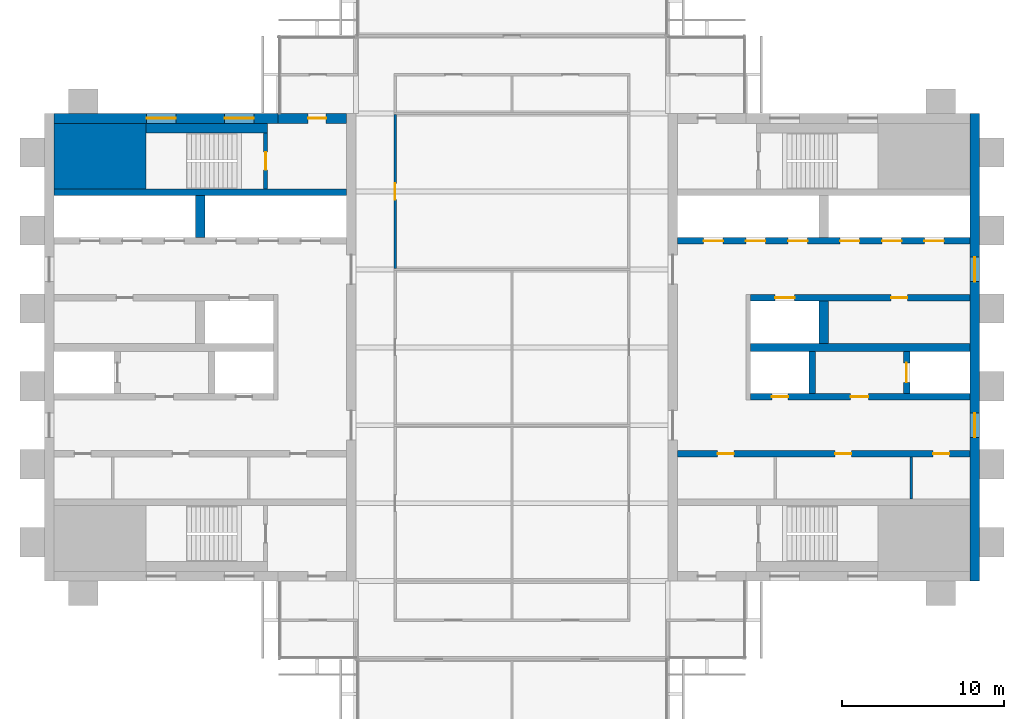
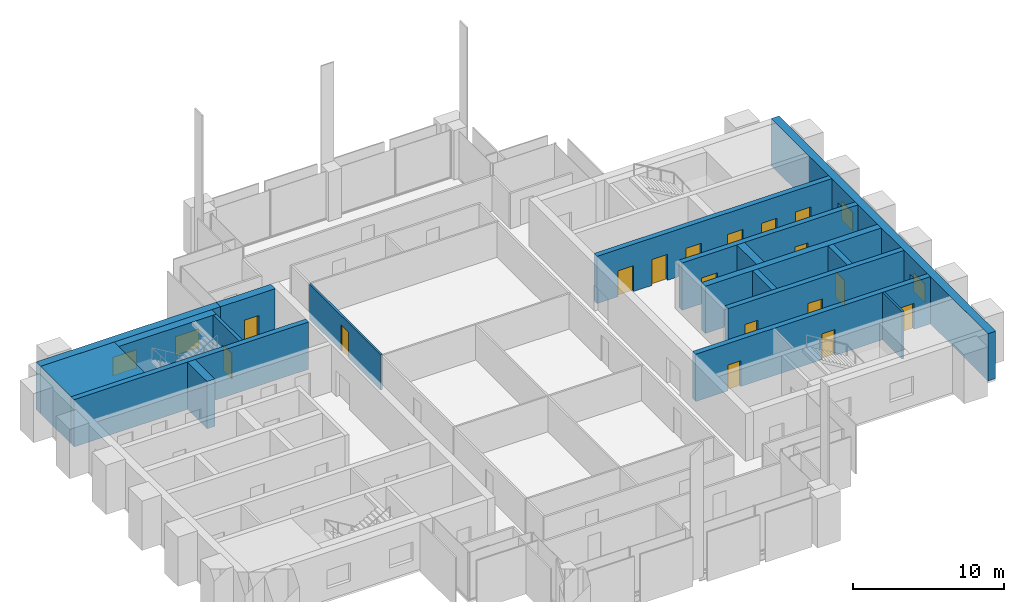
# One storey, part 10 of 13: 18 walls, 17 doors, 4 windows, 21 openings.
"""IFC4 building model written with IfcOpenShell, lengths in metres."""

from ifc_helpers import new_model, si_unit, direction, frame, frame_2d, origin, place, context, subcontext, project, spatial, rectangle, extrude, material, layer, layer_set, type_object, element, fill, save


model = new_model("IFC4")

# Units and contexts
model_context = context("Model", 3, precision=1e-05, world=origin(), true_north=direction((0.0, 1.0)))
body_context = subcontext(model_context, "Body", "Model", "MODEL_VIEW")
ifc_project = project(units=[si_unit("LENGTHUNIT", "METRE"), si_unit("AREAUNIT", "SQUARE_METRE"), si_unit("VOLUMEUNIT", "CUBIC_METRE"), si_unit("PLANEANGLEUNIT", "RADIAN"), si_unit("MASSUNIT", "GRAM", prefix="KILO")], contexts=[model_context])

# Site, building, storey
site_placement = place(None, origin())
site = spatial("IfcSite", under=ifc_project, at=site_placement, CompositionType="ELEMENT")
building_placement = place(site_placement, origin())
building = spatial("IfcBuilding", under=site, at=building_placement, Name="Baori Bourse Tower", CompositionType="ELEMENT")
storey_placement = place(building_placement, frame((0.0, 0.0, 294.300048828125)))
storey = spatial("IfcBuildingStorey", under=building, at=storey_placement, Name="L64", CompositionType="ELEMENT", Elevation=294.300048828125)

# Walls
ifc_material_1 = material(Name="Concrete f'c 40 MPa", Category="concrete")
wall_type_1 = type_object("IfcWallType", Name="Core corner block f'c 40", PredefinedType="SHEAR", material=ifc_material_1)
wall_1_placement = place(storey_placement, frame((0.60009765625, 35.77490234375, 0.0), z_axis=(0.0, 0.0, 1.0), x_axis=(1.0, 0.0, 0.0)))
element("IfcWall", 1, at=wall_1_placement, inside=storey, type_object=wall_type_1, Name="Core wall W22", PredefinedType="SHEAR", context=body_context, shape_type="SweptSolid", body=[
    extrude(rectangle(XDim=5.64990234375, YDim=4.050048828125, at=frame_2d((2.824951171875, 0.0))), origin(), (0.0, 0.0, 1.0), 3.83984375),
])
ifc_material_2 = material(Name="Blockwork partition", Category="masonry")
ifc_layer_1 = layer(ifc_material_2, 0.14990234375)
ifc_layer_set_1 = layer_set([ifc_layer_1], Name="Core partition 150")
wall_type_2 = type_object("IfcWallType", Name="Core partition 150", PredefinedType="PARTITIONING", material=ifc_layer_set_1)
wall_2_placement = place(storey_placement, frame((53.39990234375, 14.64990234375, 0.0), z_axis=(0.0, 0.0, 1.0), x_axis=(0.0, 1.0, 0.0)))
element("IfcWall", 2, at=wall_2_placement, inside=storey, type_object=wall_type_2, Name="Partition wall E09", PredefinedType="PARTITIONING", context=body_context, shape_type="SweptSolid", body=[
    extrude(rectangle(XDim=2.60009765625, YDim=0.14990234375, at=frame_2d((1.300048828125, 0.0))), origin(), (0.0, 0.0, 1.0), 3.83984375),
])

# Wall, openings, windows
ifc_material_3 = material(Name="Concrete f'c 40 MPa", Category="concrete")
ifc_layer_2 = layer(ifc_material_3, 0.60009765625)
ifc_layer_set_2 = layer_set([ifc_layer_2], Name="Core wall 600 f'c 40")
wall_type_3 = type_object("IfcWallType", Name="Core wall 600 f'c 40", PredefinedType="SHEAR", material=ifc_layer_set_2)
wall_3_placement = place(storey_placement, frame((0.60009765625, 38.10009765625, 0.0), z_axis=(0.0, 0.0, 1.0), x_axis=(1.0, 0.0, 0.0)))
wall_3 = element("IfcWall", 3, at=wall_3_placement, inside=storey, type_object=wall_type_3, Name="Core wall W25", PredefinedType="SHEAR", context=body_context, shape_type="SweptSolid", body=[
    extrude(rectangle(XDim=13.7998046875, YDim=0.60009765625, at=frame_2d((6.89990234375, 0.0))), origin(), (0.0, 0.0, 1.0), 3.83984375),
])
opening_1_placement = place(wall_3_placement, frame((5.699951171875, 0.0, 0.89990234375)))
opening_1 = element("IfcOpeningElement", 4, at=opening_1_placement, cuts=wall_3, Name="Opening L64-KW105", PredefinedType="OPENING", context=body_context, shape_type="SweptSolid", body=[
    extrude(rectangle(XDim=1.800048828125, YDim=1.5, at=frame_2d((0.89990234375, 0.75))), frame((0.0, 0.31005859375, 0.0), z_axis=(0.0, -1.0, 0.0), x_axis=(1.0, 0.0, 0.0)), (0.0, 0.0, 1.0), 0.6201171875),
])
opening_2_placement = place(wall_3_placement, frame((10.5, 0.0, 0.89990234375)))
opening_2 = element("IfcOpeningElement", 5, at=opening_2_placement, cuts=wall_3, Name="Opening L64-KW106", PredefinedType="OPENING", context=body_context, shape_type="SweptSolid", body=[
    extrude(rectangle(XDim=1.800048828125, YDim=1.5, at=frame_2d((0.89990234375, 0.75))), frame((0.0, 0.31005859375, 0.0), z_axis=(0.0, -1.0, 0.0), x_axis=(1.0, 0.0, 0.0)), (0.0, 0.0, 1.0), 0.6201171875),
])
ifc_material_4 = material(Name="Pale anodised aluminium", Category="aluminium")
window_type_1 = type_object("IfcWindowType", Name="Stair window 1800 x 1500", PartitioningType="SINGLE_PANEL", PredefinedType="WINDOW", material=ifc_material_4)
window_1_placement = place(opening_1_placement, origin())
window_1 = element("IfcWindow", 6, at=window_1_placement, inside=storey, type_object=window_type_1, Name="Stair window W L64 5", OverallHeight=1.5, OverallWidth=1.800048828125, PartitioningType="SINGLE_PANEL", PredefinedType="WINDOW", context=body_context, shape_type="SweptSolid", body=[
    extrude(rectangle(XDim=1.800048828125, YDim=1.5, at=frame_2d((0.89990234375, 0.75))), frame((0.0, 0.030029296875, 0.0), z_axis=(0.0, -1.0, 0.0), x_axis=(1.0, 0.0, 0.0)), (0.0, 0.0, 1.0), 0.06005859375),
])
fill(opening_1, window_1)
window_2_placement = place(opening_2_placement, origin())
window_2 = element("IfcWindow", 7, at=window_2_placement, inside=storey, type_object=window_type_1, Name="Stair window W L64 6", OverallHeight=1.5, OverallWidth=1.800048828125, PartitioningType="SINGLE_PANEL", PredefinedType="WINDOW", context=body_context, shape_type="SweptSolid", body=[
    extrude(rectangle(XDim=1.800048828125, YDim=1.5, at=frame_2d((0.89990234375, 0.75))), frame((0.0, 0.030029296875, 0.0), z_axis=(0.0, -1.0, 0.0), x_axis=(1.0, 0.0, 0.0)), (0.0, 0.0, 1.0), 0.06005859375),
])
fill(opening_2, window_2)

# Wall, opening, door
wall_4_placement = place(storey_placement, frame((14.39990234375, 38.10009765625, 0.0), z_axis=(0.0, 0.0, 1.0), x_axis=(1.0, 0.0, 0.0)))
wall_4 = element("IfcWall", 8, at=wall_4_placement, inside=storey, type_object=wall_type_3, Name="Core wall W26", PredefinedType="SHEAR", context=body_context, shape_type="SweptSolid", body=[
    extrude(rectangle(XDim=4.2001953125, YDim=0.60009765625, at=frame_2d((2.10009765625, 0.0))), origin(), (0.0, 0.0, 1.0), 3.83984375),
])
opening_3_placement = place(wall_4_placement, frame((1.85009765625, 0.0, 0.0)))
opening_3 = element("IfcOpeningElement", 9, at=opening_3_placement, cuts=wall_4, Name="Opening L64-D104", PredefinedType="OPENING", context=body_context, shape_type="SweptSolid", body=[
    extrude(rectangle(XDim=1.10009765625, YDim=2.10009765625, at=frame_2d((0.550048828125, 1.050048828125))), frame((0.0, 0.31005859375, 0.0), z_axis=(0.0, -1.0, 0.0), x_axis=(1.0, 0.0, 0.0)), (0.0, 0.0, 1.0), 0.6201171875),
])
ifc_material_5 = material(Name="Painted steel door", Category="steel")
door_type_1 = type_object("IfcDoorType", Name="Stair door 1100", OperationType="SINGLE_SWING_LEFT", PredefinedType="DOOR", material=ifc_material_5)
door_1_placement = place(opening_3_placement, origin())
door_1 = element("IfcDoor", 10, at=door_1_placement, inside=storey, type_object=door_type_1, Name="Stair vestibule door B W L64", OperationType="SINGLE_SWING_LEFT", OverallHeight=2.10009765625, OverallWidth=1.10009765625, PredefinedType="DOOR", context=body_context, shape_type="SweptSolid", body=[
    extrude(rectangle(XDim=1.10009765625, YDim=2.10009765625, at=frame_2d((0.550048828125, 1.050048828125))), frame((0.0, 0.02490234375, 0.0), z_axis=(0.0, -1.0, 0.0), x_axis=(1.0, 0.0, 0.0)), (0.0, 0.0, 1.0), 0.050048828125),
])
fill(opening_3, door_1)

# Wall, openings, windows
wall_5_placement = place(storey_placement, frame((57.300048828125, 38.39990234375, 0.0), z_axis=(0.0, 0.0, 1.0), x_axis=(0.0, -1.0, 0.0)))
wall_5 = element("IfcWall", 11, at=wall_5_placement, inside=storey, type_object=wall_type_3, Name="Core wall E01", PredefinedType="SHEAR", context=body_context, shape_type="SweptSolid", body=[
    extrude(rectangle(XDim=28.7998046875, YDim=0.60009765625, at=frame_2d((14.39990234375, 0.0))), origin(), (0.0, 0.0, 1.0), 3.83984375),
])
opening_4_placement = place(wall_5_placement, frame((18.449951171875, 0.0, 0.89990234375)))
opening_4 = element("IfcOpeningElement", 12, at=opening_4_placement, cuts=wall_5, Name="Opening L64-KW201", PredefinedType="OPENING", context=body_context, shape_type="SweptSolid", body=[
    extrude(rectangle(XDim=1.5, YDim=1.5, at=frame_2d((0.75, 0.75))), frame((0.0, 0.31005859375, 0.0), z_axis=(0.0, -1.0, 0.0), x_axis=(1.0, 0.0, 0.0)), (0.0, 0.0, 1.0), 0.6201171875),
])
opening_5_placement = place(wall_5_placement, frame((8.85009765625, 0.0, 0.89990234375)))
opening_5 = element("IfcOpeningElement", 13, at=opening_5_placement, cuts=wall_5, Name="Opening L64-KW202", PredefinedType="OPENING", context=body_context, shape_type="SweptSolid", body=[
    extrude(rectangle(XDim=1.5, YDim=1.5, at=frame_2d((0.75, 0.75))), frame((0.0, 0.31005859375, 0.0), z_axis=(0.0, -1.0, 0.0), x_axis=(1.0, 0.0, 0.0)), (0.0, 0.0, 1.0), 0.6201171875),
])
ifc_material_6 = material(Name="Pale anodised aluminium", Category="aluminium")
window_type_2 = type_object("IfcWindowType", Name="Lobby window 1500 x 1500", PartitioningType="SINGLE_PANEL", PredefinedType="WINDOW", material=ifc_material_6)
window_3_placement = place(opening_4_placement, origin())
window_3 = element("IfcWindow", 14, at=window_3_placement, inside=storey, type_object=window_type_2, Name="Outer wall window E L64 1", OverallHeight=1.5, OverallWidth=1.5, PartitioningType="SINGLE_PANEL", PredefinedType="WINDOW", context=body_context, shape_type="SweptSolid", body=[
    extrude(rectangle(XDim=1.5, YDim=1.5, at=frame_2d((0.75, 0.75))), frame((0.0, 0.030029296875, 0.0), z_axis=(0.0, -1.0, 0.0), x_axis=(1.0, 0.0, 0.0)), (0.0, 0.0, 1.0), 0.06005859375),
])
fill(opening_4, window_3)
window_4_placement = place(opening_5_placement, origin())
window_4 = element("IfcWindow", 15, at=window_4_placement, inside=storey, type_object=window_type_2, Name="Outer wall window E L64 2", OverallHeight=1.5, OverallWidth=1.5, PartitioningType="SINGLE_PANEL", PredefinedType="WINDOW", context=body_context, shape_type="SweptSolid", body=[
    extrude(rectangle(XDim=1.5, YDim=1.5, at=frame_2d((0.75, 0.75))), frame((0.0, 0.030029296875, 0.0), z_axis=(0.0, -1.0, 0.0), x_axis=(1.0, 0.0, 0.0)), (0.0, 0.0, 1.0), 0.06005859375),
])
fill(opening_5, window_4)

# Wall, opening, door
ifc_material_7 = material(Name="Gypsum board partition")
ifc_layer_3 = layer(ifc_material_7, 0.14990234375)
ifc_layer_set_3 = layer_set([ifc_layer_3], Name="Corridor partition 150")
wall_type_4 = type_object("IfcWallType", Name="Corridor partition 150", PredefinedType="PARTITIONING", material=ifc_layer_set_3)
wall_6_placement = place(storey_placement, frame((21.60009765625, 28.862548828125, 0.0), z_axis=(0.0, 0.0, 1.0), x_axis=(0.0, 1.0, 0.0)))
wall_6 = element("IfcWall", 16, at=wall_6_placement, inside=storey, type_object=wall_type_4, Name="Partition", PredefinedType="PARTITIONING", context=body_context, shape_type="SweptSolid", body=[
    extrude(rectangle(XDim=9.474853515625, YDim=0.14990234375, at=frame_2d((4.7373046875, 0.0))), origin(), (0.0, 0.0, 1.0), 2.86962890625),
])
opening_6_placement = place(wall_6_placement, frame((4.237548828125, 0.0, 0.0)))
opening_6 = element("IfcOpeningElement", 17, at=opening_6_placement, cuts=wall_6, Name="Opening L64-D14", PredefinedType="OPENING", context=body_context, shape_type="SweptSolid", body=[
    extrude(rectangle(XDim=1.0, YDim=2.10009765625, at=frame_2d((0.5, 1.050048828125))), frame((0.0, 0.0849609375, 0.0), z_axis=(0.0, -1.0, 0.0), x_axis=(1.0, 0.0, 0.0)), (0.0, 0.0, 1.0), 0.169921875),
])
ifc_material_8 = material(Name="Timber door leaf", Category="wood")
door_type_2 = type_object("IfcDoorType", Name="Door 1000 x 2100", OperationType="SINGLE_SWING_LEFT", PredefinedType="DOOR", material=ifc_material_8)
door_2_placement = place(opening_6_placement, origin())
door_2 = element("IfcDoor", 18, at=door_2_placement, inside=storey, type_object=door_type_2, Name="Door", OperationType="SINGLE_SWING_RIGHT", OverallHeight=2.10009765625, OverallWidth=1.0, PredefinedType="DOOR", context=body_context, shape_type="SweptSolid", body=[
    extrude(rectangle(XDim=1.0, YDim=2.10009765625, at=frame_2d((0.5, 1.050048828125))), frame((0.0, 0.02490234375, 0.0), z_axis=(0.0, -1.0, 0.0), x_axis=(1.0, 0.0, 0.0)), (0.0, 0.0, 1.0), 0.050048828125),
])
fill(opening_6, door_2)

ifc_material_9 = material(Name="Concrete f'c 40 MPa", Category="concrete")
ifc_layer_4 = layer(ifc_material_9, 0.25)
ifc_layer_set_4 = layer_set([ifc_layer_4], Name="Shaft wall 250 f'c 40")
wall_type_5 = type_object("IfcWallType", Name="Shaft wall 250 f'c 40", PredefinedType="SHEAR", material=ifc_layer_set_4)
wall_7_placement = place(storey_placement, frame((13.625, 33.75, 0.0), z_axis=(0.0, 0.0, 1.0), x_axis=(0.0, 1.0, 0.0)))
wall_7 = element("IfcWall", 19, at=wall_7_placement, inside=storey, type_object=wall_type_5, Name="Core wall W23", PredefinedType="SHEAR", context=body_context, shape_type="SweptSolid", body=[
    extrude(rectangle(XDim=3.449951171875, YDim=0.25, at=frame_2d((1.72509765625, 0.0))), origin(), (0.0, 0.0, 1.0), 3.83984375),
])
opening_7_placement = place(wall_7_placement, frame((1.175048828125, 0.0, 0.0)))
opening_7 = element("IfcOpeningElement", 20, at=opening_7_placement, cuts=wall_7, Name="Opening L64-D103", PredefinedType="OPENING", context=body_context, shape_type="SweptSolid", body=[
    extrude(rectangle(XDim=1.10009765625, YDim=2.10009765625, at=frame_2d((0.550048828125, 1.050048828125))), frame((0.0, 0.135009765625, 0.0), z_axis=(0.0, -1.0, 0.0), x_axis=(1.0, 0.0, 0.0)), (0.0, 0.0, 1.0), 0.27001953125),
])
door_3_placement = place(opening_7_placement, origin())
door_3 = element("IfcDoor", 21, at=door_3_placement, inside=storey, type_object=door_type_1, Name="Stair door B W L64", OperationType="SINGLE_SWING_LEFT", OverallHeight=2.10009765625, OverallWidth=1.10009765625, PredefinedType="DOOR", context=body_context, shape_type="SweptSolid", body=[
    extrude(rectangle(XDim=1.10009765625, YDim=2.10009765625, at=frame_2d((0.550048828125, 1.050048828125))), frame((0.0, 0.02490234375, 0.0), z_axis=(0.0, -1.0, 0.0), x_axis=(1.0, 0.0, 0.0)), (0.0, 0.0, 1.0), 0.050048828125),
])
fill(opening_7, door_3)

# Wall
ifc_material_10 = material(Name="Concrete f'c 40 MPa", Category="concrete")
ifc_layer_5 = layer(ifc_material_10, 0.39990234375)
ifc_layer_set_5 = layer_set([ifc_layer_5], Name="Shaft wall 400 f'c 40")
wall_type_6 = type_object("IfcWallType", Name="Shaft wall 400 f'c 40", PredefinedType="SHEAR", material=ifc_layer_set_5)
wall_8_placement = place(storey_placement, frame((0.60009765625, 33.550048828125, 0.0), z_axis=(0.0, 0.0, 1.0), x_axis=(1.0, 0.0, 0.0)))
element("IfcWall", 22, at=wall_8_placement, inside=storey, type_object=wall_type_6, Name="Core wall W21", PredefinedType="SHEAR", context=body_context, shape_type="SweptSolid", body=[
    extrude(rectangle(XDim=18.0, YDim=0.39990234375, at=frame_2d((9.0, 0.0))), origin(), (0.0, 0.0, 1.0), 3.83984375),
])

# Wall, openings, doors
wall_9_placement = place(storey_placement, frame((39.0, 17.449951171875, 0.0), z_axis=(0.0, 0.0, 1.0), x_axis=(1.0, 0.0, 0.0)))
wall_9 = element("IfcWall", 23, at=wall_9_placement, inside=storey, type_object=wall_type_6, Name="Core wall E11", PredefinedType="SHEAR", context=body_context, shape_type="SweptSolid", body=[
    extrude(rectangle(XDim=18.0, YDim=0.39990234375, at=frame_2d((9.0, 0.0))), origin(), (0.0, 0.0, 1.0), 3.83984375),
])
opening_8_placement = place(wall_9_placement, frame((15.737548828125, 0.0, 0.0)))
opening_8 = element("IfcOpeningElement", 24, at=opening_8_placement, cuts=wall_9, Name="Opening L64-D209", PredefinedType="OPENING", context=body_context, shape_type="SweptSolid", body=[
    extrude(rectangle(XDim=1.0, YDim=2.10009765625, at=frame_2d((0.5, 1.050048828125))), frame((0.0, 0.2099609375, 0.0), z_axis=(0.0, -1.0, 0.0), x_axis=(1.0, 0.0, 0.0)), (0.0, 0.0, 1.0), 0.419921875),
])
opening_9_placement = place(wall_9_placement, frame((9.699951171875, 0.0, 0.0)))
opening_9 = element("IfcOpeningElement", 25, at=opening_9_placement, cuts=wall_9, Name="Opening L64-D210", PredefinedType="OPENING", context=body_context, shape_type="SweptSolid", body=[
    extrude(rectangle(XDim=1.0, YDim=2.10009765625, at=frame_2d((0.5, 1.050048828125))), frame((0.0, 0.2099609375, 0.0), z_axis=(0.0, -1.0, 0.0), x_axis=(1.0, 0.0, 0.0)), (0.0, 0.0, 1.0), 0.419921875),
])
opening_10_placement = place(wall_9_placement, frame((2.46240234375, 0.0, 0.0)))
opening_10 = element("IfcOpeningElement", 26, at=opening_10_placement, cuts=wall_9, Name="Opening L64-D211", PredefinedType="OPENING", context=body_context, shape_type="SweptSolid", body=[
    extrude(rectangle(XDim=1.0, YDim=2.10009765625, at=frame_2d((0.5, 1.050048828125))), frame((0.0, 0.2099609375, 0.0), z_axis=(0.0, -1.0, 0.0), x_axis=(1.0, 0.0, 0.0)), (0.0, 0.0, 1.0), 0.419921875),
])
ifc_material_11 = material(Name="Painted steel door", Category="steel")
door_type_3 = type_object("IfcDoorType", Name="Core door 1000", OperationType="SINGLE_SWING_LEFT", PredefinedType="DOOR", material=ifc_material_11)
door_4_placement = place(opening_8_placement, origin())
door_4 = element("IfcDoor", 27, at=door_4_placement, inside=storey, type_object=door_type_3, Name="Accessible Wc door E L64", OperationType="SINGLE_SWING_LEFT", OverallHeight=2.10009765625, OverallWidth=1.0, PredefinedType="DOOR", context=body_context, shape_type="SweptSolid", body=[
    extrude(rectangle(XDim=1.0, YDim=2.10009765625, at=frame_2d((0.5, 1.050048828125))), frame((0.0, 0.02490234375, 0.0), z_axis=(0.0, -1.0, 0.0), x_axis=(1.0, 0.0, 0.0)), (0.0, 0.0, 1.0), 0.050048828125),
])
fill(opening_8, door_4)
door_5_placement = place(opening_9_placement, origin())
door_5 = element("IfcDoor", 28, at=door_5_placement, inside=storey, type_object=door_type_3, Name="Men'S Wc door E L64", OperationType="SINGLE_SWING_LEFT", OverallHeight=2.10009765625, OverallWidth=1.0, PredefinedType="DOOR", context=body_context, shape_type="SweptSolid", body=[
    extrude(rectangle(XDim=1.0, YDim=2.10009765625, at=frame_2d((0.5, 1.050048828125))), frame((0.0, 0.02490234375, 0.0), z_axis=(0.0, -1.0, 0.0), x_axis=(1.0, 0.0, 0.0)), (0.0, 0.0, 1.0), 0.050048828125),
])
fill(opening_9, door_5)
door_6_placement = place(opening_10_placement, origin())
door_6 = element("IfcDoor", 29, at=door_6_placement, inside=storey, type_object=door_type_3, Name="Women'S Wc door E L64", OperationType="SINGLE_SWING_LEFT", OverallHeight=2.10009765625, OverallWidth=1.0, PredefinedType="DOOR", context=body_context, shape_type="SweptSolid", body=[
    extrude(rectangle(XDim=1.0, YDim=2.10009765625, at=frame_2d((0.5, 1.050048828125))), frame((0.0, 0.02490234375, 0.0), z_axis=(0.0, -1.0, 0.0), x_axis=(1.0, 0.0, 0.0)), (0.0, 0.0, 1.0), 0.050048828125),
])
fill(opening_10, door_6)

wall_10_placement = place(storey_placement, frame((43.5, 20.949951171875, 0.0), z_axis=(0.0, 0.0, 1.0), x_axis=(1.0, 0.0, 0.0)))
wall_10 = element("IfcWall", 30, at=wall_10_placement, inside=storey, type_object=wall_type_6, Name="Core wall E12", PredefinedType="SHEAR", context=body_context, shape_type="SweptSolid", body=[
    extrude(rectangle(XDim=13.5, YDim=0.39990234375, at=frame_2d((6.75, 0.0))), origin(), (0.0, 0.0, 1.0), 3.83984375),
])
opening_11_placement = place(wall_10_placement, frame((6.14990234375, 0.0, 0.0)))
opening_11 = element("IfcOpeningElement", 31, at=opening_11_placement, cuts=wall_10, Name="Opening L64-D205", PredefinedType="OPENING", context=body_context, shape_type="SweptSolid", body=[
    extrude(rectangle(XDim=1.10009765625, YDim=2.10009765625, at=frame_2d((0.550048828125, 1.050048828125))), frame((0.0, 0.2099609375, 0.0), z_axis=(0.0, -1.0, 0.0), x_axis=(1.0, 0.0, 0.0)), (0.0, 0.0, 1.0), 0.419921875),
])
opening_12_placement = place(wall_10_placement, frame((1.300048828125, 0.0, 0.0)))
opening_12 = element("IfcOpeningElement", 32, at=opening_12_placement, cuts=wall_10, Name="Opening L64-D206", PredefinedType="OPENING", context=body_context, shape_type="SweptSolid", body=[
    extrude(rectangle(XDim=1.0, YDim=2.10009765625, at=frame_2d((0.5, 1.050048828125))), frame((0.0, 0.2099609375, 0.0), z_axis=(0.0, -1.0, 0.0), x_axis=(1.0, 0.0, 0.0)), (0.0, 0.0, 1.0), 0.419921875),
])
ifc_material_12 = material(Name="Painted steel door", Category="steel")
door_type_4 = type_object("IfcDoorType", Name="Lobby door 1100", OperationType="SINGLE_SWING_LEFT", PredefinedType="DOOR", material=ifc_material_12)
door_7_placement = place(opening_11_placement, origin())
door_7 = element("IfcDoor", 33, at=door_7_placement, inside=storey, type_object=door_type_4, Name="Firefighting lobby door E L64", OperationType="SINGLE_SWING_LEFT", OverallHeight=2.10009765625, OverallWidth=1.10009765625, PredefinedType="DOOR", context=body_context, shape_type="SweptSolid", body=[
    extrude(rectangle(XDim=1.10009765625, YDim=2.10009765625, at=frame_2d((0.550048828125, 1.050048828125))), frame((0.0, 0.02490234375, 0.0), z_axis=(0.0, -1.0, 0.0), x_axis=(1.0, 0.0, 0.0)), (0.0, 0.0, 1.0), 0.050048828125),
])
fill(opening_11, door_7)
ifc_material_13 = material(Name="Painted steel door", Category="steel")
door_type_5 = type_object("IfcDoorType", Name="Shaft door 1000", OperationType="SINGLE_SWING_LEFT", PredefinedType="DOOR", material=ifc_material_13)
door_8_placement = place(opening_12_placement, origin())
door_8 = element("IfcDoor", 34, at=door_8_placement, inside=storey, type_object=door_type_5, Name="Riser room door E L64", OperationType="SINGLE_SWING_LEFT", OverallHeight=2.10009765625, OverallWidth=1.0, PredefinedType="DOOR", context=body_context, shape_type="SweptSolid", body=[
    extrude(rectangle(XDim=1.0, YDim=2.10009765625, at=frame_2d((0.5, 1.050048828125))), frame((0.0, 0.02490234375, 0.0), z_axis=(0.0, -1.0, 0.0), x_axis=(1.0, 0.0, 0.0)), (0.0, 0.0, 1.0), 0.050048828125),
])
fill(opening_12, door_8)

# Wall, opening, door
wall_11_placement = place(storey_placement, frame((53.10009765625, 21.14990234375, 0.0), z_axis=(0.0, 0.0, 1.0), x_axis=(0.0, 1.0, 0.0)))
wall_11 = element("IfcWall", 35, at=wall_11_placement, inside=storey, type_object=wall_type_6, Name="Core wall E14", PredefinedType="SHEAR", context=body_context, shape_type="SweptSolid", body=[
    extrude(rectangle(XDim=2.60009765625, YDim=0.39990234375, at=frame_2d((1.300048828125, 0.0))), origin(), (0.0, 0.0, 1.0), 3.83984375),
])
opening_13_placement = place(wall_11_placement, frame((0.699951171875, 0.0, 0.0)))
opening_13 = element("IfcOpeningElement", 36, at=opening_13_placement, cuts=wall_11, Name="Opening L64-D220", PredefinedType="OPENING", context=body_context, shape_type="SweptSolid", body=[
    extrude(rectangle(XDim=1.199951171875, YDim=2.10009765625, at=frame_2d((0.60009765625, 1.050048828125))), frame((0.0, 0.2099609375, 0.0), z_axis=(0.0, -1.0, 0.0), x_axis=(1.0, 0.0, 0.0)), (0.0, 0.0, 1.0), 0.419921875),
])
ifc_material_14 = material(Name="Stainless steel door", Category="steel")
door_type_6 = type_object("IfcDoorType", Name="Lift landing door", OperationType="DOUBLE_DOOR_SLIDING", PredefinedType="DOOR", material=ifc_material_14)
door_9_placement = place(opening_13_placement, origin())
door_9 = element("IfcDoor", 37, at=door_9_placement, inside=storey, type_object=door_type_6, Name="Lift landing door FF2 E L64", OperationType="DOUBLE_DOOR_SLIDING", OverallHeight=2.10009765625, OverallWidth=1.199951171875, PredefinedType="DOOR", context=body_context, shape_type="SweptSolid", body=[
    extrude(rectangle(XDim=1.199951171875, YDim=2.10009765625, at=frame_2d((0.60009765625, 1.050048828125))), frame((0.0, 0.02490234375, 0.0), z_axis=(0.0, -1.0, 0.0), x_axis=(1.0, 0.0, 0.0)), (0.0, 0.0, 1.0), 0.050048828125),
])
fill(opening_13, door_9)

# Wall
wall_12_placement = place(storey_placement, frame((47.300048828125, 21.14990234375, 0.0), z_axis=(0.0, 0.0, 1.0), x_axis=(0.0, 1.0, 0.0)))
element("IfcWall", 38, at=wall_12_placement, inside=storey, type_object=wall_type_6, Name="Core wall E15", PredefinedType="SHEAR", context=body_context, shape_type="SweptSolid", body=[
    extrude(rectangle(XDim=2.60009765625, YDim=0.39990234375, at=frame_2d((1.300048828125, 0.0))), origin(), (0.0, 0.0, 1.0), 3.83984375),
])

# Wall, openings, doors
wall_13_placement = place(storey_placement, frame((43.5, 27.050048828125, 0.0), z_axis=(0.0, 0.0, 1.0), x_axis=(1.0, 0.0, 0.0)))
wall_13 = element("IfcWall", 39, at=wall_13_placement, inside=storey, type_object=wall_type_6, Name="Core wall E18", PredefinedType="SHEAR", context=body_context, shape_type="SweptSolid", body=[
    extrude(rectangle(XDim=13.5, YDim=0.39990234375, at=frame_2d((6.75, 0.0))), origin(), (0.0, 0.0, 1.0), 3.83984375),
])
opening_14_placement = place(wall_13_placement, frame((8.64990234375, 0.0, 0.0)))
opening_14 = element("IfcOpeningElement", 40, at=opening_14_placement, cuts=wall_13, Name="Opening L64-D212", PredefinedType="OPENING", context=body_context, shape_type="SweptSolid", body=[
    extrude(rectangle(XDim=1.0, YDim=2.10009765625, at=frame_2d((0.5, 1.050048828125))), frame((0.0, 0.2099609375, 0.0), z_axis=(0.0, -1.0, 0.0), x_axis=(1.0, 0.0, 0.0)), (0.0, 0.0, 1.0), 0.419921875),
])
opening_15_placement = place(wall_13_placement, frame((1.5, 0.0, 0.0)))
opening_15 = element("IfcOpeningElement", 41, at=opening_15_placement, cuts=wall_13, Name="Opening L64-D219", PredefinedType="OPENING", context=body_context, shape_type="SweptSolid", body=[
    extrude(rectangle(XDim=1.199951171875, YDim=2.10009765625, at=frame_2d((0.60009765625, 1.050048828125))), frame((0.0, 0.2099609375, 0.0), z_axis=(0.0, -1.0, 0.0), x_axis=(1.0, 0.0, 0.0)), (0.0, 0.0, 1.0), 0.419921875),
])
door_10_placement = place(opening_14_placement, origin())
door_10 = element("IfcDoor", 42, at=door_10_placement, inside=storey, type_object=door_type_3, Name="Copy Room door E L64", OperationType="SINGLE_SWING_LEFT", OverallHeight=2.10009765625, OverallWidth=1.0, PredefinedType="DOOR", context=body_context, shape_type="SweptSolid", body=[
    extrude(rectangle(XDim=1.0, YDim=2.10009765625, at=frame_2d((0.5, 1.050048828125))), frame((0.0, 0.02490234375, 0.0), z_axis=(0.0, -1.0, 0.0), x_axis=(1.0, 0.0, 0.0)), (0.0, 0.0, 1.0), 0.050048828125),
])
fill(opening_14, door_10)
door_11_placement = place(opening_15_placement, origin())
door_11 = element("IfcDoor", 43, at=door_11_placement, inside=storey, type_object=door_type_6, Name="Lift landing door SV1 E L64", OperationType="DOUBLE_DOOR_SLIDING", OverallHeight=2.10009765625, OverallWidth=1.199951171875, PredefinedType="DOOR", context=body_context, shape_type="SweptSolid", body=[
    extrude(rectangle(XDim=1.199951171875, YDim=2.10009765625, at=frame_2d((0.60009765625, 1.050048828125))), frame((0.0, 0.02490234375, 0.0), z_axis=(0.0, -1.0, 0.0), x_axis=(1.0, 0.0, 0.0)), (0.0, 0.0, 1.0), 0.050048828125),
])
fill(opening_15, door_11)

wall_14_placement = place(storey_placement, frame((39.0, 30.550048828125, 0.0), z_axis=(0.0, 0.0, 1.0), x_axis=(1.0, 0.0, 0.0)))
wall_14 = element("IfcWall", 44, at=wall_14_placement, inside=storey, type_object=wall_type_6, Name="Core wall E19", PredefinedType="SHEAR", context=body_context, shape_type="SweptSolid", body=[
    extrude(rectangle(XDim=18.0, YDim=0.39990234375, at=frame_2d((9.0, 0.0))), origin(), (0.0, 0.0, 1.0), 3.83984375),
])
opening_16_placement = place(wall_14_placement, frame((15.199951171875, 0.0, 0.0)))
opening_16 = element("IfcOpeningElement", 45, at=opening_16_placement, cuts=wall_14, Name="Opening L64-D213", PredefinedType="OPENING", context=body_context, shape_type="SweptSolid", body=[
    extrude(rectangle(XDim=1.199951171875, YDim=2.10009765625, at=frame_2d((0.60009765625, 1.050048828125))), frame((0.0, 0.2099609375, 0.0), z_axis=(0.0, -1.0, 0.0), x_axis=(1.0, 0.0, 0.0)), (0.0, 0.0, 1.0), 0.419921875),
])
opening_17_placement = place(wall_14_placement, frame((12.60009765625, 0.0, 0.0)))
opening_17 = element("IfcOpeningElement", 46, at=opening_17_placement, cuts=wall_14, Name="Opening L64-D214", PredefinedType="OPENING", context=body_context, shape_type="SweptSolid", body=[
    extrude(rectangle(XDim=1.199951171875, YDim=2.10009765625, at=frame_2d((0.60009765625, 1.050048828125))), frame((0.0, 0.2099609375, 0.0), z_axis=(0.0, -1.0, 0.0), x_axis=(1.0, 0.0, 0.0)), (0.0, 0.0, 1.0), 0.419921875),
])
opening_18_placement = place(wall_14_placement, frame((10.0, 0.0, 0.0)))
opening_18 = element("IfcOpeningElement", 47, at=opening_18_placement, cuts=wall_14, Name="Opening L64-D215", PredefinedType="OPENING", context=body_context, shape_type="SweptSolid", body=[
    extrude(rectangle(XDim=1.199951171875, YDim=2.10009765625, at=frame_2d((0.60009765625, 1.050048828125))), frame((0.0, 0.2099609375, 0.0), z_axis=(0.0, -1.0, 0.0), x_axis=(1.0, 0.0, 0.0)), (0.0, 0.0, 1.0), 0.419921875),
])
opening_19_placement = place(wall_14_placement, frame((6.800048828125, 0.0, 0.0)))
opening_19 = element("IfcOpeningElement", 48, at=opening_19_placement, cuts=wall_14, Name="Opening L64-D216", PredefinedType="OPENING", context=body_context, shape_type="SweptSolid", body=[
    extrude(rectangle(XDim=1.199951171875, YDim=2.10009765625, at=frame_2d((0.60009765625, 1.050048828125))), frame((0.0, 0.2099609375, 0.0), z_axis=(0.0, -1.0, 0.0), x_axis=(1.0, 0.0, 0.0)), (0.0, 0.0, 1.0), 0.419921875),
])
opening_20_placement = place(wall_14_placement, frame((4.199951171875, 0.0, 0.0)))
opening_20 = element("IfcOpeningElement", 49, at=opening_20_placement, cuts=wall_14, Name="Opening L64-D217", PredefinedType="OPENING", context=body_context, shape_type="SweptSolid", body=[
    extrude(rectangle(XDim=1.199951171875, YDim=2.10009765625, at=frame_2d((0.60009765625, 1.050048828125))), frame((0.0, 0.2099609375, 0.0), z_axis=(0.0, -1.0, 0.0), x_axis=(1.0, 0.0, 0.0)), (0.0, 0.0, 1.0), 0.419921875),
])
opening_21_placement = place(wall_14_placement, frame((1.60009765625, 0.0, 0.0)))
opening_21 = element("IfcOpeningElement", 50, at=opening_21_placement, cuts=wall_14, Name="Opening L64-D218", PredefinedType="OPENING", context=body_context, shape_type="SweptSolid", body=[
    extrude(rectangle(XDim=1.199951171875, YDim=2.10009765625, at=frame_2d((0.60009765625, 1.050048828125))), frame((0.0, 0.2099609375, 0.0), z_axis=(0.0, -1.0, 0.0), x_axis=(1.0, 0.0, 0.0)), (0.0, 0.0, 1.0), 0.419921875),
])
door_12_placement = place(opening_16_placement, origin())
door_12 = element("IfcDoor", 51, at=door_12_placement, inside=storey, type_object=door_type_6, Name="Lift landing door HR1 E L64", OperationType="DOUBLE_DOOR_SLIDING", OverallHeight=2.10009765625, OverallWidth=1.199951171875, PredefinedType="DOOR", context=body_context, shape_type="SweptSolid", body=[
    extrude(rectangle(XDim=1.199951171875, YDim=2.10009765625, at=frame_2d((0.60009765625, 1.050048828125))), frame((0.0, 0.02490234375, 0.0), z_axis=(0.0, -1.0, 0.0), x_axis=(1.0, 0.0, 0.0)), (0.0, 0.0, 1.0), 0.050048828125),
])
fill(opening_16, door_12)
door_13_placement = place(opening_17_placement, origin())
door_13 = element("IfcDoor", 52, at=door_13_placement, inside=storey, type_object=door_type_6, Name="Lift landing door HR2 E L64", OperationType="DOUBLE_DOOR_SLIDING", OverallHeight=2.10009765625, OverallWidth=1.199951171875, PredefinedType="DOOR", context=body_context, shape_type="SweptSolid", body=[
    extrude(rectangle(XDim=1.199951171875, YDim=2.10009765625, at=frame_2d((0.60009765625, 1.050048828125))), frame((0.0, 0.02490234375, 0.0), z_axis=(0.0, -1.0, 0.0), x_axis=(1.0, 0.0, 0.0)), (0.0, 0.0, 1.0), 0.050048828125),
])
fill(opening_17, door_13)
door_14_placement = place(opening_18_placement, origin())
door_14 = element("IfcDoor", 53, at=door_14_placement, inside=storey, type_object=door_type_6, Name="Lift landing door HR3 E L64", OperationType="DOUBLE_DOOR_SLIDING", OverallHeight=2.10009765625, OverallWidth=1.199951171875, PredefinedType="DOOR", context=body_context, shape_type="SweptSolid", body=[
    extrude(rectangle(XDim=1.199951171875, YDim=2.10009765625, at=frame_2d((0.60009765625, 1.050048828125))), frame((0.0, 0.02490234375, 0.0), z_axis=(0.0, -1.0, 0.0), x_axis=(1.0, 0.0, 0.0)), (0.0, 0.0, 1.0), 0.050048828125),
])
fill(opening_18, door_14)
door_15_placement = place(opening_19_placement, origin())
door_15 = element("IfcDoor", 54, at=door_15_placement, inside=storey, type_object=door_type_6, Name="Lift landing door HR4 E L64", OperationType="DOUBLE_DOOR_SLIDING", OverallHeight=2.10009765625, OverallWidth=1.199951171875, PredefinedType="DOOR", context=body_context, shape_type="SweptSolid", body=[
    extrude(rectangle(XDim=1.199951171875, YDim=2.10009765625, at=frame_2d((0.60009765625, 1.050048828125))), frame((0.0, 0.02490234375, 0.0), z_axis=(0.0, -1.0, 0.0), x_axis=(1.0, 0.0, 0.0)), (0.0, 0.0, 1.0), 0.050048828125),
])
fill(opening_19, door_15)
door_16_placement = place(opening_20_placement, origin())
door_16 = element("IfcDoor", 55, at=door_16_placement, inside=storey, type_object=door_type_6, Name="Lift landing door HR5 E L64", OperationType="DOUBLE_DOOR_SLIDING", OverallHeight=2.10009765625, OverallWidth=1.199951171875, PredefinedType="DOOR", context=body_context, shape_type="SweptSolid", body=[
    extrude(rectangle(XDim=1.199951171875, YDim=2.10009765625, at=frame_2d((0.60009765625, 1.050048828125))), frame((0.0, 0.02490234375, 0.0), z_axis=(0.0, -1.0, 0.0), x_axis=(1.0, 0.0, 0.0)), (0.0, 0.0, 1.0), 0.050048828125),
])
fill(opening_20, door_16)
door_17_placement = place(opening_21_placement, origin())
door_17 = element("IfcDoor", 56, at=door_17_placement, inside=storey, type_object=door_type_6, Name="Lift landing door HR6 E L64", OperationType="DOUBLE_DOOR_SLIDING", OverallHeight=2.10009765625, OverallWidth=1.199951171875, PredefinedType="DOOR", context=body_context, shape_type="SweptSolid", body=[
    extrude(rectangle(XDim=1.199951171875, YDim=2.10009765625, at=frame_2d((0.60009765625, 1.050048828125))), frame((0.0, 0.02490234375, 0.0), z_axis=(0.0, -1.0, 0.0), x_axis=(1.0, 0.0, 0.0)), (0.0, 0.0, 1.0), 0.050048828125),
])
fill(opening_21, door_17)

# Walls
ifc_material_15 = material(Name="Concrete f'c 40 MPa", Category="concrete")
ifc_layer_6 = layer(ifc_material_15, 0.5)
ifc_layer_set_6 = layer_set([ifc_layer_6], Name="Shaft wall 500 f'c 40")
wall_type_7 = type_object("IfcWallType", Name="Shaft wall 500 f'c 40", PredefinedType="SHEAR", material=ifc_layer_set_6)
wall_15_placement = place(storey_placement, frame((43.5, 24.0, 0.0), z_axis=(0.0, 0.0, 1.0), x_axis=(1.0, 0.0, 0.0)))
element("IfcWall", 57, at=wall_15_placement, inside=storey, type_object=wall_type_7, Name="Core wall E16", PredefinedType="SHEAR", context=body_context, shape_type="SweptSolid", body=[
    extrude(rectangle(XDim=13.5, YDim=0.5, at=frame_2d((6.75, 0.0))), origin(), (0.0, 0.0, 1.0), 3.83984375),
])
ifc_material_16 = material(Name="Concrete f'c 40 MPa", Category="concrete")
ifc_layer_7 = layer(ifc_material_16, 0.60009765625)
ifc_layer_set_7 = layer_set([ifc_layer_7], Name="Shaft wall 600 f'c 40")
wall_type_8 = type_object("IfcWallType", Name="Shaft wall 600 f'c 40", PredefinedType="SHEAR", material=ifc_layer_set_7)
wall_16_placement = place(storey_placement, frame((9.60009765625, 30.75, 0.0), z_axis=(0.0, 0.0, 1.0), x_axis=(0.0, 1.0, 0.0)))
element("IfcWall", 58, at=wall_16_placement, inside=storey, type_object=wall_type_8, Name="Core wall W20", PredefinedType="SHEAR", context=body_context, shape_type="SweptSolid", body=[
    extrude(rectangle(XDim=2.60009765625, YDim=0.60009765625, at=frame_2d((1.300048828125, 0.0))), origin(), (0.0, 0.0, 1.0), 3.83984375),
])
wall_17_placement = place(storey_placement, frame((6.25, 37.5, 0.0), z_axis=(0.0, 0.0, 1.0), x_axis=(1.0, 0.0, 0.0)))
element("IfcWall", 59, at=wall_17_placement, inside=storey, type_object=wall_type_8, Name="Core wall W24", PredefinedType="SHEAR", context=body_context, shape_type="SweptSolid", body=[
    extrude(rectangle(XDim=7.5, YDim=0.60009765625, at=frame_2d((3.75, 0.0))), origin(), (0.0, 0.0, 1.0), 3.83984375),
])
wall_18_placement = place(storey_placement, frame((48.0, 24.25, 0.0), z_axis=(0.0, 0.0, 1.0), x_axis=(0.0, 1.0, 0.0)))
element("IfcWall", 60, at=wall_18_placement, inside=storey, type_object=wall_type_8, Name="Core wall E17", PredefinedType="SHEAR", context=body_context, shape_type="SweptSolid", body=[
    extrude(rectangle(XDim=2.60009765625, YDim=0.60009765625, at=frame_2d((1.300048828125, 0.0))), origin(), (0.0, 0.0, 1.0), 3.83984375),
])

save(model, "model.ifc")
